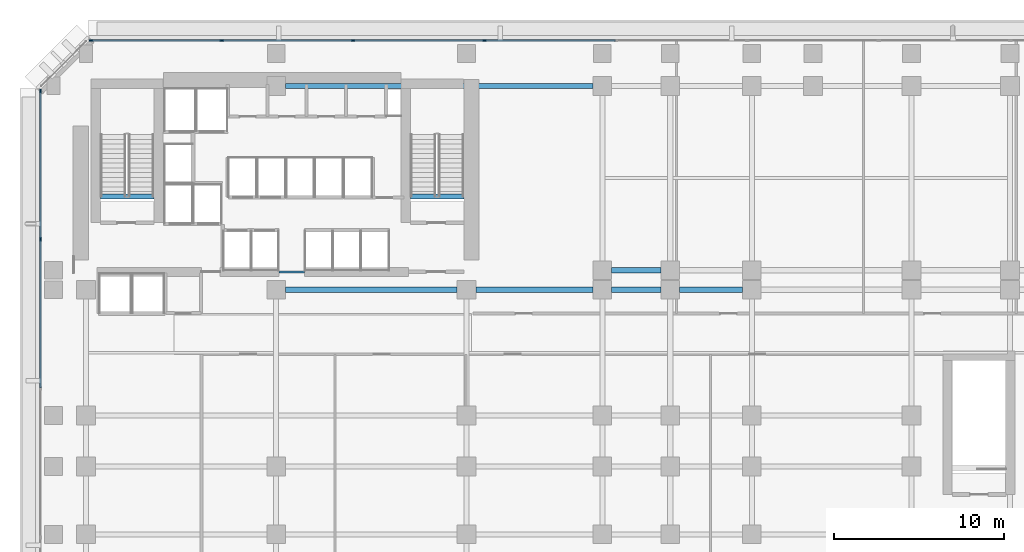
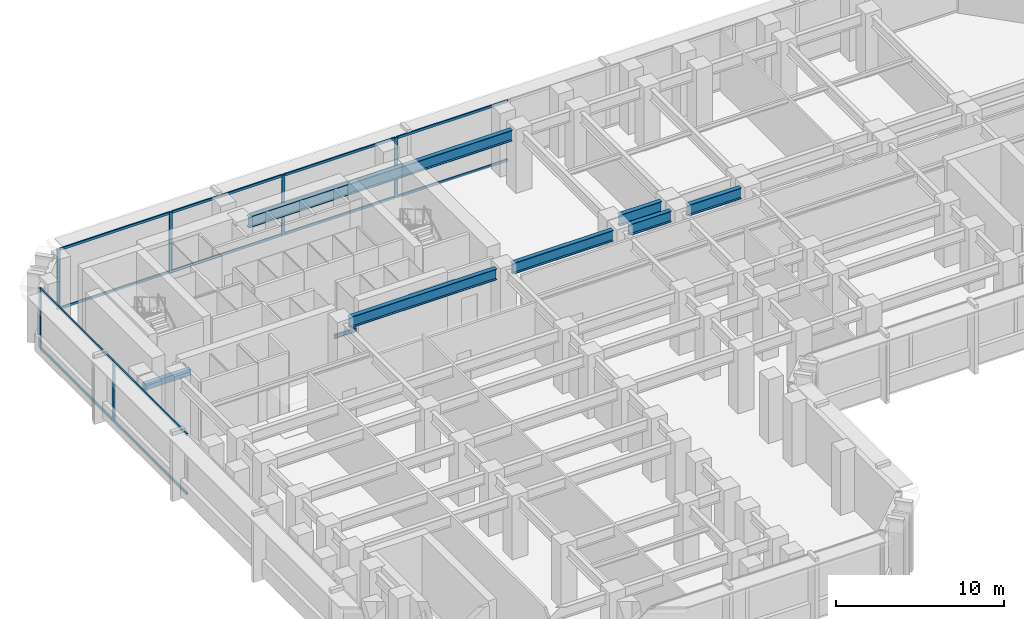
# One storey, part 4 of 14: 18 members, 9 beams, 2 elements without a shape of their own.
"""IFC4 building model written with IfcOpenShell, lengths in metres."""

from ifc_helpers import new_model, si_unit, direction, frame, origin, origin_2d, place, context, subcontext, project, spatial, rectangle, i_section, extrude, material, layer, layer_set, material_profile, profile_set, type_object, element, aggregate, save


model = new_model("IFC4")

# Units and contexts
model_context = context("Model", 3, precision=1e-05, world=origin(), true_north=direction((0.0, 1.0)))
body_context = subcontext(model_context, "Body", "Model", "MODEL_VIEW")
ifc_project = project(units=[si_unit("LENGTHUNIT", "METRE"), si_unit("AREAUNIT", "SQUARE_METRE"), si_unit("VOLUMEUNIT", "CUBIC_METRE"), si_unit("PLANEANGLEUNIT", "RADIAN"), si_unit("MASSUNIT", "GRAM", prefix="KILO")], contexts=[model_context])

# Site, building, storey
site_placement = place(None, origin())
site = spatial("IfcSite", under=ifc_project, at=site_placement, CompositionType="ELEMENT")
building_placement = place(site_placement, origin())
building = spatial("IfcBuilding", under=site, at=building_placement, Name="Kefirva Bronze Tower", CompositionType="ELEMENT")
storey_placement = place(building_placement, frame((0.0, 0.0, 25.739990234375)))
storey = spatial("IfcBuildingStorey", under=building, at=storey_placement, Name="L05", CompositionType="ELEMENT", Elevation=25.739990234375)

# Curtain wall, members
ifc_material_1 = material(Name="Bronze anodised aluminium", Category="aluminium")
ifc_layer = layer(ifc_material_1, 0.239990234375, Name="Bronze anodised aluminium")
ifc_layer_set = layer_set([ifc_layer], Name="Bronze anodised aluminium")
curtain_wall_type = type_object("IfcCurtainWallType", Name="Podium Double-Height Glazed Curtain Wall", PredefinedType="USERDEFINED", material=ifc_layer_set)
curtain_wall_1_placement = place(storey_placement, origin())
curtain_wall_1 = element("IfcCurtainWall", 1, at=curtain_wall_1_placement, inside=storey, type_object=curtain_wall_type, Name="L05 Curtain Wall 4", ObjectType="UNITISED CURTAIN WALL", PredefinedType="USERDEFINED")
ifc_material_profile_1 = material_profile(ifc_material_1, rectangle(XDim=0.090087890625, YDim=0.219970703125, at=origin_2d()), Name="ALU 90x220")
ifc_profile_set_1 = profile_set([ifc_material_profile_1], Name="Bronze anodised aluminium")
member_type_1 = type_object("IfcMemberType", Name="Bronze Mullion 90x220", PredefinedType="MULLION", material=ifc_profile_set_1)
member_1_placement = place(storey_placement, frame((24.263671875, 47.8798828125, 0.0), z_axis=(0.0, 0.0, 1.0), x_axis=(0.0, -1.0, 0.0)))
member_1 = element("IfcMember", 2, at=member_1_placement, type_object=member_type_1, Name="CW-05 mullion 6", PredefinedType="MULLION", context=body_context, shape_type="SweptSolid", body=[
    extrude(rectangle(XDim=0.090087890625, YDim=0.219970703125, at=origin_2d()), origin(), (0.0, 0.0, 1.0), 4.3701171875),
])
member_2_placement = place(storey_placement, frame((16.527587890625, 47.8798828125, 0.0), z_axis=(0.0, 0.0, 1.0), x_axis=(0.0, -1.0, 0.0)))
member_2 = element("IfcMember", 3, at=member_2_placement, type_object=member_type_1, Name="CW-05 mullion 7", PredefinedType="MULLION", context=body_context, shape_type="SweptSolid", body=[
    extrude(rectangle(XDim=0.090087890625, YDim=0.219970703125, at=origin_2d()), origin(), (0.0, 0.0, 1.0), 4.3701171875),
])
member_3_placement = place(storey_placement, frame((8.791259765625, 47.8798828125, 0.0), z_axis=(0.0, 0.0, 1.0), x_axis=(0.0, -1.0, 0.0)))
member_3 = element("IfcMember", 4, at=member_3_placement, type_object=member_type_1, Name="CW-05 mullion 8", PredefinedType="MULLION", context=body_context, shape_type="SweptSolid", body=[
    extrude(rectangle(XDim=0.090087890625, YDim=0.219970703125, at=origin_2d()), origin(), (0.0, 0.0, 1.0), 4.3701171875),
])
member_4_placement = place(storey_placement, frame((1.10009765625, 47.8798828125, 0.0), z_axis=(0.0, 0.0, 1.0), x_axis=(0.0, -1.0, 0.0)))
member_4 = element("IfcMember", 5, at=member_4_placement, type_object=member_type_1, Name="CW-05 mullion 9", PredefinedType="MULLION", context=body_context, shape_type="SweptSolid", body=[
    extrude(rectangle(XDim=0.090087890625, YDim=0.219970703125, at=origin_2d()), origin(), (0.0, 0.0, 1.0), 4.3701171875),
])

curtain_wall_2_placement = place(storey_placement, origin())
curtain_wall_2 = element("IfcCurtainWall", 6, at=curtain_wall_2_placement, inside=storey, type_object=curtain_wall_type, Name="L05 Curtain Wall 5", ObjectType="UNITISED CURTAIN WALL", PredefinedType="USERDEFINED")
member_5_placement = place(storey_placement, frame((-1.8798828125, 44.89990234375, 0.0), z_axis=(0.0, 0.0, 1.0), x_axis=(1.0, 0.0, 0.0)))
member_5 = element("IfcMember", 7, at=member_5_placement, type_object=member_type_1, Name="CW-05 mullion 1", PredefinedType="MULLION", context=body_context, shape_type="SweptSolid", body=[
    extrude(rectangle(XDim=0.090087890625, YDim=0.219970703125, at=origin_2d()), origin(), (0.0, 0.0, 1.0), 4.3701171875),
])
member_6_placement = place(storey_placement, frame((-1.8798828125, 36.1669921875, 0.0), z_axis=(0.0, 0.0, 1.0), x_axis=(1.0, 0.0, 0.0)))
member_6 = element("IfcMember", 8, at=member_6_placement, type_object=member_type_1, Name="CW-05 mullion 2", PredefinedType="MULLION", context=body_context, shape_type="SweptSolid", body=[
    extrude(rectangle(XDim=0.090087890625, YDim=0.219970703125, at=origin_2d()), origin(), (0.0, 0.0, 1.0), 4.3701171875),
])

# Member
ifc_material_profile_2 = material_profile(ifc_material_1, rectangle(XDim=0.090087890625, YDim=0.179931640625, at=origin_2d()), Name="ALU 90x180")
ifc_profile_set_2 = profile_set([ifc_material_profile_2], Name="Bronze anodised aluminium")
member_type_2 = type_object("IfcMemberType", Name="Bronze Transom 90x180", PredefinedType="USERDEFINED", material=ifc_profile_set_2)
member_7_placement = place(storey_placement, frame((31.955078125, 47.8798828125, 0.044921875), z_axis=(-1.0, 0.0, 0.0), x_axis=(0.0, -1.0, 0.0)))
member_7 = element("IfcMember", 9, at=member_7_placement, type_object=member_type_2, Name="CW-05 transom 5.1", ObjectType="TRANSOM", PredefinedType="USERDEFINED", context=body_context, shape_type="SweptSolid", body=[
    extrude(rectangle(XDim=0.090087890625, YDim=0.179931640625, at=origin_2d()), origin(), (0.0, 0.0, 1.0), 7.646240234375),
])

member_8_placement = place(storey_placement, frame((31.955078125, 47.8798828125, 4.324951171875), z_axis=(-1.0, 0.0, 0.0), x_axis=(0.0, -1.0, 0.0)))
member_8 = element("IfcMember", 10, at=member_8_placement, type_object=member_type_2, Name="CW-05 transom 5.2", ObjectType="TRANSOM", PredefinedType="USERDEFINED", context=body_context, shape_type="SweptSolid", body=[
    extrude(rectangle(XDim=0.090087890625, YDim=0.179931640625, at=origin_2d()), origin(), (0.0, 0.0, 1.0), 7.646240234375),
])

member_9_placement = place(storey_placement, frame((24.21875, 47.8798828125, 0.044921875), z_axis=(-1.0, 0.0, 0.0), x_axis=(0.0, -1.0, 0.0)))
member_9 = element("IfcMember", 11, at=member_9_placement, type_object=member_type_2, Name="CW-05 transom 6.1", ObjectType="TRANSOM", PredefinedType="USERDEFINED", context=body_context, shape_type="SweptSolid", body=[
    extrude(rectangle(XDim=0.090087890625, YDim=0.179931640625, at=origin_2d()), origin(), (0.0, 0.0, 1.0), 7.646240234375),
])

member_10_placement = place(storey_placement, frame((24.21875, 47.8798828125, 4.324951171875), z_axis=(-1.0, 0.0, 0.0), x_axis=(0.0, -1.0, 0.0)))
member_10 = element("IfcMember", 12, at=member_10_placement, type_object=member_type_2, Name="CW-05 transom 6.2", ObjectType="TRANSOM", PredefinedType="USERDEFINED", context=body_context, shape_type="SweptSolid", body=[
    extrude(rectangle(XDim=0.090087890625, YDim=0.179931640625, at=origin_2d()), origin(), (0.0, 0.0, 1.0), 7.646240234375),
])

member_11_placement = place(storey_placement, frame((16.482421875, 47.8798828125, 0.044921875), z_axis=(-1.0, 0.0, 0.0), x_axis=(0.0, -1.0, 0.0)))
member_11 = element("IfcMember", 13, at=member_11_placement, type_object=member_type_2, Name="CW-05 transom 7.1", ObjectType="TRANSOM", PredefinedType="USERDEFINED", context=body_context, shape_type="SweptSolid", body=[
    extrude(rectangle(XDim=0.090087890625, YDim=0.179931640625, at=origin_2d()), origin(), (0.0, 0.0, 1.0), 7.646240234375),
])

member_12_placement = place(storey_placement, frame((16.482421875, 47.8798828125, 4.324951171875), z_axis=(-1.0, 0.0, 0.0), x_axis=(0.0, -1.0, 0.0)))
member_12 = element("IfcMember", 14, at=member_12_placement, type_object=member_type_2, Name="CW-05 transom 7.2", ObjectType="TRANSOM", PredefinedType="USERDEFINED", context=body_context, shape_type="SweptSolid", body=[
    extrude(rectangle(XDim=0.090087890625, YDim=0.179931640625, at=origin_2d()), origin(), (0.0, 0.0, 1.0), 7.646240234375),
])

member_13_placement = place(storey_placement, frame((8.746337890625, 47.8798828125, 0.044921875), z_axis=(-1.0, 0.0, 0.0), x_axis=(0.0, -1.0, 0.0)))
member_13 = element("IfcMember", 15, at=member_13_placement, type_object=member_type_2, Name="CW-05 transom 8.1", ObjectType="TRANSOM", PredefinedType="USERDEFINED", context=body_context, shape_type="SweptSolid", body=[
    extrude(rectangle(XDim=0.090087890625, YDim=0.179931640625, at=origin_2d()), origin(), (0.0, 0.0, 1.0), 7.601318359375),
])

member_14_placement = place(storey_placement, frame((8.746337890625, 47.8798828125, 4.324951171875), z_axis=(-1.0, 0.0, 0.0), x_axis=(0.0, -1.0, 0.0)))
member_14 = element("IfcMember", 16, at=member_14_placement, type_object=member_type_2, Name="CW-05 transom 8.2", ObjectType="TRANSOM", PredefinedType="USERDEFINED", context=body_context, shape_type="SweptSolid", body=[
    extrude(rectangle(XDim=0.090087890625, YDim=0.179931640625, at=origin_2d()), origin(), (0.0, 0.0, 1.0), 7.601318359375),
])

aggregate(curtain_wall_1, [member_1, member_2, member_3, member_4, member_7, member_8, member_9, member_10, member_11, member_12, member_13, member_14])

member_15_placement = place(storey_placement, frame((-1.8798828125, 44.85498046875, 0.044921875), z_axis=(0.0, -1.0, 0.0), x_axis=(1.0, 0.0, 0.0)))
member_15 = element("IfcMember", 17, at=member_15_placement, type_object=member_type_2, Name="CW-05 transom 1.1", ObjectType="TRANSOM", PredefinedType="USERDEFINED", context=body_context, shape_type="SweptSolid", body=[
    extrude(rectangle(XDim=0.090087890625, YDim=0.179931640625, at=origin_2d()), origin(), (0.0, 0.0, 1.0), 8.64306640625),
])

member_16_placement = place(storey_placement, frame((-1.8798828125, 44.85498046875, 4.324951171875), z_axis=(0.0, -1.0, 0.0), x_axis=(1.0, 0.0, 0.0)))
member_16 = element("IfcMember", 18, at=member_16_placement, type_object=member_type_2, Name="CW-05 transom 1.2", ObjectType="TRANSOM", PredefinedType="USERDEFINED", context=body_context, shape_type="SweptSolid", body=[
    extrude(rectangle(XDim=0.090087890625, YDim=0.179931640625, at=origin_2d()), origin(), (0.0, 0.0, 1.0), 8.64306640625),
])

member_17_placement = place(storey_placement, frame((-1.8798828125, 36.1220703125, 0.044921875), z_axis=(0.0, -1.0, 0.0), x_axis=(1.0, 0.0, 0.0)))
member_17 = element("IfcMember", 19, at=member_17_placement, type_object=member_type_2, Name="CW-05 transom 2.1", ObjectType="TRANSOM", PredefinedType="USERDEFINED", context=body_context, shape_type="SweptSolid", body=[
    extrude(rectangle(XDim=0.090087890625, YDim=0.179931640625, at=origin_2d()), origin(), (0.0, 0.0, 1.0), 8.68798828125),
])

member_18_placement = place(storey_placement, frame((-1.8798828125, 36.1220703125, 4.324951171875), z_axis=(0.0, -1.0, 0.0), x_axis=(1.0, 0.0, 0.0)))
member_18 = element("IfcMember", 20, at=member_18_placement, type_object=member_type_2, Name="CW-05 transom 2.2", ObjectType="TRANSOM", PredefinedType="USERDEFINED", context=body_context, shape_type="SweptSolid", body=[
    extrude(rectangle(XDim=0.090087890625, YDim=0.179931640625, at=origin_2d()), origin(), (0.0, 0.0, 1.0), 8.68798828125),
])

aggregate(curtain_wall_2, [member_5, member_6, member_15, member_16, member_17, member_18])

# Beams
ifc_material_2 = material(Name="Concrete C50/60", Category="concrete")
ifc_material_profile_3 = material_profile(ifc_material_2, rectangle(XDim=0.300048828125, YDim=0.449951171875, at=origin_2d()), Name="RC 300x450")
ifc_profile_set_3 = profile_set([ifc_material_profile_3], Name="Concrete C50/60")
beam_type_1 = type_object("IfcBeamType", Name="RC Stair Trimmer Beam 300x450", PredefinedType="BEAM", material=ifc_profile_set_3)
beam_1_placement = place(storey_placement, frame((1.64501953125, 38.699951171875, -0.22509765625), z_axis=(1.0, 0.0, 0.0), x_axis=(0.0, 1.0, 0.0)))
element("IfcBeam", 21, at=beam_1_placement, inside=storey, type_object=beam_type_1, Name="L05 Stair 1 Landing Trimmer Beam", PredefinedType="BEAM", context=body_context, shape_type="SweptSolid", body=[
    extrude(rectangle(XDim=0.300048828125, YDim=0.449951171875, at=origin_2d()), origin(), (0.0, 0.0, 1.0), 3.14990234375),
])
beam_2_placement = place(storey_placement, frame((19.89501953125, 38.699951171875, -0.22509765625), z_axis=(1.0, 0.0, 0.0), x_axis=(0.0, 1.0, 0.0)))
element("IfcBeam", 22, at=beam_2_placement, inside=storey, type_object=beam_type_1, Name="L05 Stair 2 Landing Trimmer Beam", PredefinedType="BEAM", context=body_context, shape_type="SweptSolid", body=[
    extrude(rectangle(XDim=0.300048828125, YDim=0.449951171875, at=origin_2d()), origin(), (0.0, 0.0, 1.0), 3.159912109375),
])
ifc_material_3 = material(Name="Steel S355", Category="steel")
ifc_material_profile_4 = material_profile(ifc_material_3, i_section(OverallWidth=0.300048828125, OverallDepth=0.800048828125, WebThickness=0.017578125, FlangeThickness=0.032958984375, at=origin_2d()), Name="HEB 800")
ifc_profile_set_4 = profile_set([ifc_material_profile_4], Name="Steel S355")
beam_type_2 = type_object("IfcBeamType", Name="Steel Girder HEB 800", PredefinedType="USERDEFINED", material=ifc_profile_set_4)
beam_3_placement = place(storey_placement, frame((12.550048828125, 33.199951171875, 3.969970703125), z_axis=(1.0, 0.0, 0.0), x_axis=(0.0, 1.0, 0.0)))
element("IfcBeam", 23, at=beam_3_placement, inside=storey, type_object=beam_type_2, Name="L05 BM-L05-EW-12-332", ObjectType="GIRDER", PredefinedType="USERDEFINED", context=body_context, shape_type="SweptSolid", body=[
    extrude(i_section(OverallWidth=0.300048828125, OverallDepth=0.800048828125, WebThickness=0.017578125, FlangeThickness=0.032958984375, at=origin_2d()), origin(), (0.0, 0.0, 1.0), 10.099853515625),
])
beam_4_placement = place(storey_placement, frame((23.75, 33.199951171875, 3.969970703125), z_axis=(1.0, 0.0, 0.0), x_axis=(0.0, 1.0, 0.0)))
element("IfcBeam", 24, at=beam_4_placement, inside=storey, type_object=beam_type_2, Name="L05 BM-L05-EW-23-332", ObjectType="GIRDER", PredefinedType="USERDEFINED", context=body_context, shape_type="SweptSolid", body=[
    extrude(i_section(OverallWidth=0.300048828125, OverallDepth=0.800048828125, WebThickness=0.017578125, FlangeThickness=0.032958984375, at=origin_2d()), origin(), (0.0, 0.0, 1.0), 6.89990234375),
])
beam_5_placement = place(storey_placement, frame((31.75, 33.199951171875, 3.969970703125), z_axis=(1.0, 0.0, 0.0), x_axis=(0.0, 1.0, 0.0)))
element("IfcBeam", 25, at=beam_5_placement, inside=storey, type_object=beam_type_2, Name="L05 BM-L05-EW-31-332", ObjectType="GIRDER", PredefinedType="USERDEFINED", context=body_context, shape_type="SweptSolid", body=[
    extrude(i_section(OverallWidth=0.300048828125, OverallDepth=0.800048828125, WebThickness=0.017578125, FlangeThickness=0.032958984375, at=origin_2d()), origin(), (0.0, 0.0, 1.0), 2.89990234375),
])
beam_6_placement = place(storey_placement, frame((35.75, 33.199951171875, 3.969970703125), z_axis=(1.0, 0.0, 0.0), x_axis=(0.0, 1.0, 0.0)))
element("IfcBeam", 26, at=beam_6_placement, inside=storey, type_object=beam_type_2, Name="L05 BM-L05-EW-35-332", ObjectType="GIRDER", PredefinedType="USERDEFINED", context=body_context, shape_type="SweptSolid", body=[
    extrude(i_section(OverallWidth=0.300048828125, OverallDepth=0.800048828125, WebThickness=0.017578125, FlangeThickness=0.032958984375, at=origin_2d()), origin(), (0.0, 0.0, 1.0), 3.699951171875),
])
beam_7_placement = place(storey_placement, frame((31.75, 34.35009765625, 3.969970703125), z_axis=(1.0, 0.0, 0.0), x_axis=(0.0, 1.0, 0.0)))
element("IfcBeam", 27, at=beam_7_placement, inside=storey, type_object=beam_type_2, Name="L05 BM-L05-EW-31-344", ObjectType="GIRDER", PredefinedType="USERDEFINED", context=body_context, shape_type="SweptSolid", body=[
    extrude(i_section(OverallWidth=0.300048828125, OverallDepth=0.800048828125, WebThickness=0.017578125, FlangeThickness=0.032958984375, at=origin_2d()), origin(), (0.0, 0.0, 1.0), 2.89990234375),
])
beam_8_placement = place(storey_placement, frame((12.550048828125, 45.199951171875, 3.969970703125), z_axis=(1.0, 0.0, 0.0), x_axis=(0.0, 1.0, 0.0)))
element("IfcBeam", 28, at=beam_8_placement, inside=storey, type_object=beam_type_2, Name="L05 BM-L05-EW-12-452", ObjectType="GIRDER", PredefinedType="USERDEFINED", context=body_context, shape_type="SweptSolid", body=[
    extrude(i_section(OverallWidth=0.300048828125, OverallDepth=0.800048828125, WebThickness=0.017578125, FlangeThickness=0.032958984375, at=origin_2d()), origin(), (0.0, 0.0, 1.0), 18.099853515625),
])
ifc_material_profile_5 = material_profile(ifc_material_3, i_section(OverallWidth=0.135009765625, OverallDepth=0.27001953125, WebThickness=0.006591796875, FlangeThickness=0.01025390625, at=origin_2d()), Name="IPE 270")
ifc_profile_set_5 = profile_set([ifc_material_profile_5], Name="Steel S355")
beam_type_3 = type_object("IfcBeamType", Name="Steel Opening Lintel IPE 270", PredefinedType="LINTEL", material=ifc_profile_set_5)
beam_9_placement = place(storey_placement, frame((12.159912109375, 34.25, 2.39990234375), z_axis=(1.0, 0.0, 0.0), x_axis=(0.0, 1.0, 0.0)))
element("IfcBeam", 29, at=beam_9_placement, inside=storey, type_object=beam_type_3, Name="L05 Core Lobby Lintel", PredefinedType="LINTEL", context=body_context, shape_type="SweptSolid", body=[
    extrude(i_section(OverallWidth=0.135009765625, OverallDepth=0.27001953125, WebThickness=0.006591796875, FlangeThickness=0.01025390625, at=origin_2d()), origin(), (0.0, 0.0, 1.0), 1.52001953125),
])

save(model, "model.ifc")
